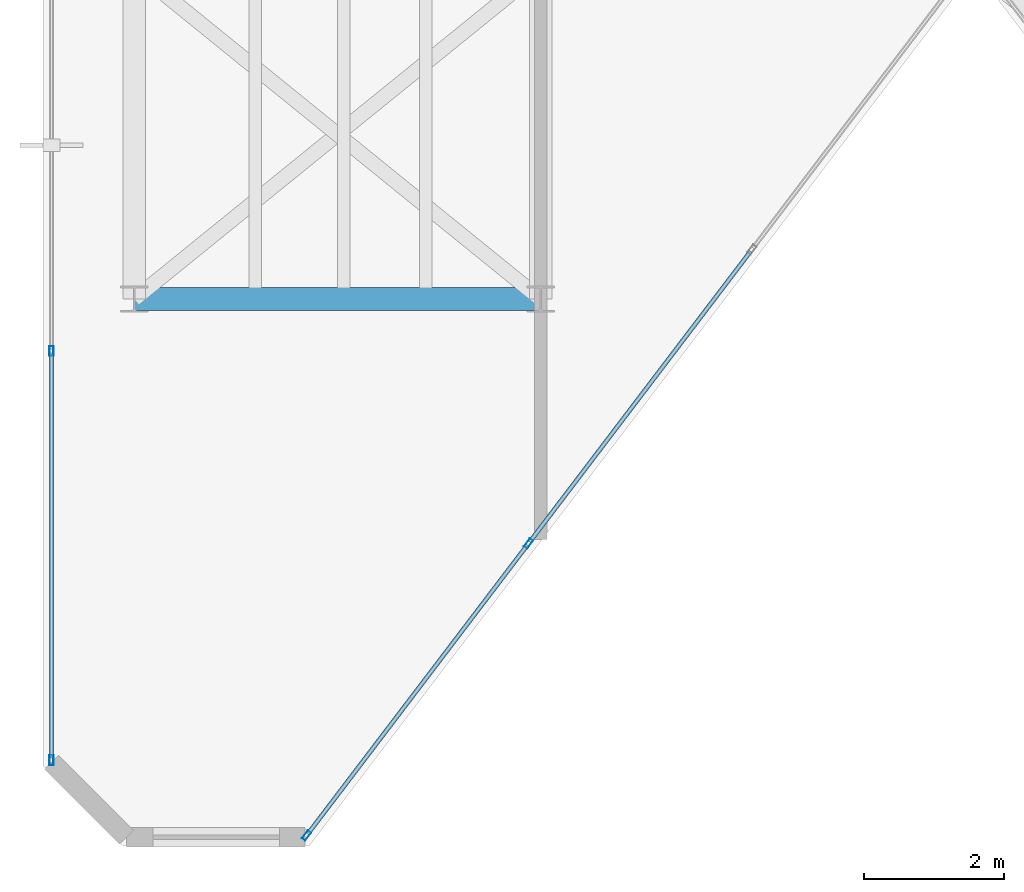
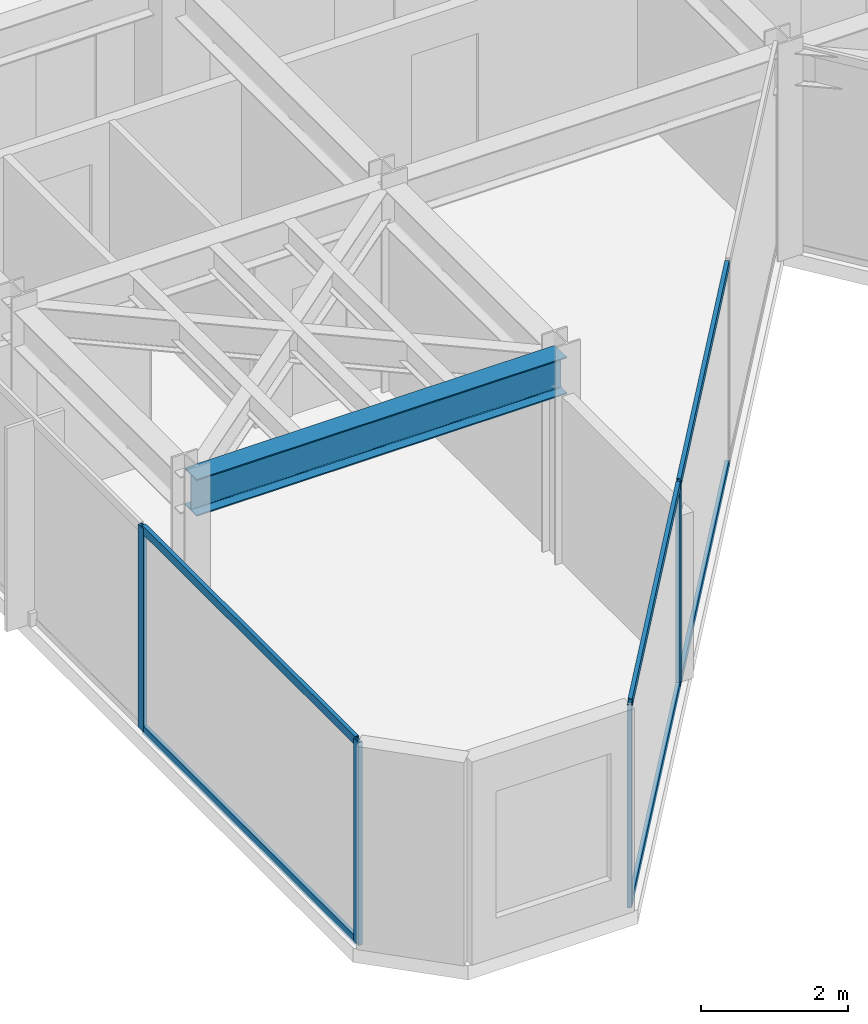
# One storey, part 2 of 17: 10 members, 1 beam, 2 elements without a shape of their own.
"""IFC4 building model written with IfcOpenShell, lengths in metres."""

import ifcopenshell
import ifcopenshell.guid

model = None  # the IFC model being written
_history = None  # IfcOwnerHistory: only IFC2X3 demands one
_inside = {}  # id of a spatial element -> (the spatial element, [elements in it])
_under = {}  # id of a project, library or spatial element -> (it, [spatial elements below it])
_declared = {}  # id of a project -> (the project, [libraries it declares])
_typed = {}  # id of a type object -> (the type object, [elements of that type])
_made_of = {}  # id of a material, layer set ... -> (it, [elements and type objects made of it])


def new_model(schema):
    """Start an empty IFC model of exactly this schema.

    Asked for "IFC4X3", IfcOpenShell would pick the latest addendum, in which some entities
    have other attributes; the version numbers below select the first issue.
    IFC2X3 requires an IfcOwnerHistory on every rooted entity: one is made here for all.
    """
    global model, _history
    if schema == "IFC4X3":
        model = ifcopenshell.file(schema_version=(4, 3, 0, 0))
    else:
        model = ifcopenshell.file(schema=schema)
    _inside.clear()
    _under.clear()
    _declared.clear()
    _typed.clear()
    _made_of.clear()
    _history = None
    if model.schema == "IFC2X3":
        org = make("IfcOrganization", Name="unknown")
        user = make(
            "IfcPersonAndOrganization",
            ThePerson=make("IfcPerson", FamilyName="unknown"),
            TheOrganization=org,
        )
        app = make(
            "IfcApplication",
            ApplicationDeveloper=org,
            Version="unknown",
            ApplicationFullName="unknown",
            ApplicationIdentifier="unknown",
        )
        _history = make(
            "IfcOwnerHistory",
            OwningUser=user,
            OwningApplication=app,
            ChangeAction="ADDED",
            CreationDate=0,
        )
    return model


def make(cls, **values):
    """One entity of the class cls with the attributes given. An attribute that is None is left unset."""
    return model.create_entity(
        cls, **{name: value for name, value in values.items() if value is not None}
    )


def rooted(cls, **values):
    """An entity with a GlobalId (a new one), such as an element, a storey or a relation."""
    return make(cls, GlobalId=ifcopenshell.guid.new(), OwnerHistory=_history, **values)


def si_unit(unit_type, name, prefix=None):
    """IfcSIUnit, for example si_unit("LENGTHUNIT", "METRE", prefix="MILLI")."""
    return make("IfcSIUnit", UnitType=unit_type, Prefix=prefix, Name=name)


def assignment(units):
    """IfcUnitAssignment: the units of a project."""
    return None if units is None else make("IfcUnitAssignment", Units=units)


def point(xyz):
    """IfcCartesianPoint."""
    return None if xyz is None else make("IfcCartesianPoint", Coordinates=xyz)


def direction(xyz):
    """IfcDirection."""
    return None if xyz is None else make("IfcDirection", DirectionRatios=xyz)


def frame(location, z_axis=None, x_axis=None):
    """IfcAxis2Placement3D, a coordinate frame: its origin and axes. An axis left out is left unset."""
    return make(
        "IfcAxis2Placement3D",
        Location=point(location),
        Axis=direction(z_axis),
        RefDirection=direction(x_axis),
    )


def frame_2d(location, x_axis=None):
    """IfcAxis2Placement2D, a coordinate frame in the plane: its origin and x axis."""
    return make(
        "IfcAxis2Placement2D", Location=point(location), RefDirection=direction(x_axis)
    )


def origin():
    """The frame at (0, 0, 0) with its axes left unset."""
    return frame((0.0, 0.0, 0.0))


def origin_2d():
    """The frame at (0, 0) in the plane with its x axis left unset."""
    return frame_2d((0.0, 0.0))


def place(relative_to, where):
    """IfcLocalPlacement: puts the frame where relative to a parent placement (None: the world)."""
    return make(
        "IfcLocalPlacement", PlacementRelTo=relative_to, RelativePlacement=where
    )


def context(
    kind, dimensions, precision=None, world=None, true_north=None, identifier=None
):
    """IfcGeometricRepresentationContext, for example the 3D "Model" context."""
    return make(
        "IfcGeometricRepresentationContext",
        ContextIdentifier=identifier,
        ContextType=kind,
        CoordinateSpaceDimension=dimensions,
        Precision=precision,
        WorldCoordinateSystem=world,
        TrueNorth=true_north,
    )


def subcontext(parent, identifier, kind, view, scale=None):
    """IfcGeometricRepresentationSubContext, for example "Body" below "Model"."""
    return make(
        "IfcGeometricRepresentationSubContext",
        ContextIdentifier=identifier,
        ContextType=kind,
        ParentContext=parent,
        TargetScale=scale,
        TargetView=view,
    )


def project(units=None, contexts=None):
    """IfcProject with its units and contexts."""
    return rooted(
        "IfcProject",
        Name="project",
        RepresentationContexts=contexts,
        UnitsInContext=assignment(units),
    )


def spatial(cls, under=None, at=None, **own):
    """A site, building, storey or space (cls), placed at a placement, below another one or the project."""
    s = rooted(cls, ObjectPlacement=at, **own)
    if under is not None:
        _under.setdefault(under.id(), (under, []))[1].append(s)
    return s


def profile(cls, at=None, kind="AREA", **sizes):
    """A parametric profile (cls). Its sizes go by their IFC names, for example OverallWidth=200.0."""
    return make(cls, ProfileType=kind, Position=at, **sizes)


def hollow_rectangle(**sizes):
    """IfcRectangleHollowProfileDef."""
    return profile("IfcRectangleHollowProfileDef", **sizes)


def i_section(**sizes):
    """IfcIShapeProfileDef."""
    return profile("IfcIShapeProfileDef", **sizes)


def extrude(swept, where, along, depth):
    """IfcExtrudedAreaSolid: the profile swept, set in the frame where, extruded along a direction by depth."""
    return make(
        "IfcExtrudedAreaSolid",
        SweptArea=swept,
        Position=where,
        ExtrudedDirection=direction(along),
        Depth=depth,
    )


def shape(context_of_items, identifier, shape_type, items):
    """IfcShapeRepresentation: the items that make up one representation, for example the "Body"."""
    return make(
        "IfcShapeRepresentation",
        ContextOfItems=context_of_items,
        RepresentationIdentifier=identifier,
        RepresentationType=shape_type,
        Items=items,
    )


def material(Name=None, Category=None):
    """IfcMaterial."""
    return make("IfcMaterial", Name=Name, Category=Category)


def layer(
    of_material, thickness, ventilated=None, Name=None, Category=None, Priority=None
):
    """IfcMaterialLayer: one layer of a wall or slab, of a material (None: an air gap)."""
    return make(
        "IfcMaterialLayer",
        Material=of_material,
        LayerThickness=thickness,
        IsVentilated=ventilated,
        Name=Name,
        Category=Category,
        Priority=Priority,
    )


def layer_set(layers, Name=None):
    """IfcMaterialLayerSet."""
    return make("IfcMaterialLayerSet", MaterialLayers=layers, LayerSetName=Name)


def material_profile(
    of_material, cross_section, Name=None, Category=None, Priority=None
):
    """IfcMaterialProfile: a cross section and its material."""
    return make(
        "IfcMaterialProfile",
        Name=Name,
        Material=of_material,
        Profile=cross_section,
        Priority=Priority,
        Category=Category,
    )


def profile_set(profiles, Name=None, composite=None):
    """IfcMaterialProfileSet."""
    return make(
        "IfcMaterialProfileSet",
        Name=Name,
        MaterialProfiles=profiles,
        CompositeProfile=composite,
    )


def made_of(thing, what):
    """Note that an element or type object is made of a material, layer set ...; save() writes the relation."""
    if what is not None:
        _made_of.setdefault(what.id(), (what, []))[1].append(thing)
    return thing


def type_object(cls, material=None, **own):
    """A type object (cls), such as IfcWallType, which elements share."""
    return made_of(rooted(cls, **own), material)


def element(
    cls,
    number,
    at=None,
    inside=None,
    cuts=None,
    type_object=None,
    material=None,
    context=None,
    identifier="Body",
    shape_type=None,
    held_by="IfcProductDefinitionShape",
    body=None,
    shapes=None,
    **own,
):
    """One element of the class cls, such as IfcWall. Its Tag is "e" and its number.

    at: its placement. inside: the storey or other place that contains it. cuts: it is an
    opening in that element (IfcRelVoidsElement). A single representation is given by context,
    identifier, shape_type and body (its items); several are given by shapes. held_by: the class
    of the entity that holds the representations. save() writes the other relations.
    """
    e = rooted(cls, Tag="e%d" % number, ObjectPlacement=at, **own)
    if body is not None:
        shapes = [shape(context, identifier, shape_type, body)]
    if shapes is not None:
        e.Representation = make(held_by, Representations=shapes)
    if inside is not None:
        _inside.setdefault(inside.id(), (inside, []))[1].append(e)
    if cuts is not None:
        rooted(
            "IfcRelVoidsElement", RelatingBuildingElement=cuts, RelatedOpeningElement=e
        )
    if type_object is not None:
        _typed.setdefault(type_object.id(), (type_object, []))[1].append(e)
    return made_of(e, material)


def aggregate(whole, parts):
    """IfcRelAggregates: a whole, such as a stair, and the parts it consists of."""
    return rooted("IfcRelAggregates", RelatingObject=whole, RelatedObjects=parts)


def save(model, path):
    """Write the relations noted so far, then the file.

    IfcRelAggregates (storeys below a building ...), IfcRelContainedInSpatialStructure (elements
    in a storey), IfcRelDefinesByType, IfcRelAssociatesMaterial and IfcRelDeclares: one each for
    every whole, place, type object, material and project.
    """
    for whole, parts in _under.values():
        aggregate(whole, parts)
    for where, things in _inside.values():
        rooted(
            "IfcRelContainedInSpatialStructure",
            RelatedElements=things,
            RelatingStructure=where,
        )
    for kind, things in _typed.values():
        rooted("IfcRelDefinesByType", RelatedObjects=things, RelatingType=kind)
    for what, things in _made_of.values():
        rooted("IfcRelAssociatesMaterial", RelatedObjects=things, RelatingMaterial=what)
    for by, libraries in _declared.values():
        rooted("IfcRelDeclares", RelatingContext=by, RelatedDefinitions=libraries)
    model.write(path)


model = new_model("IFC4")

# Units and contexts
model_context = context("Model", 3, precision=1e-05, world=origin(), true_north=direction((0.0, 1.0)))
body_context = subcontext(model_context, "Body", "Model", "MODEL_VIEW")
ifc_project = project(units=[si_unit("LENGTHUNIT", "METRE"), si_unit("AREAUNIT", "SQUARE_METRE"), si_unit("VOLUMEUNIT", "CUBIC_METRE"), si_unit("PLANEANGLEUNIT", "RADIAN"), si_unit("MASSUNIT", "GRAM", prefix="KILO")], contexts=[model_context])

# Site, building, storey
site_placement = place(None, origin())
site = spatial("IfcSite", under=ifc_project, at=site_placement, CompositionType="ELEMENT")
building_placement = place(site_placement, origin())
building = spatial("IfcBuilding", under=site, at=building_placement, Name="Kravanh Interchange Tower", CompositionType="ELEMENT")
storey_placement = place(building_placement, frame((0.0, 0.0, 289.5)))
storey = spatial("IfcBuildingStorey", under=building, at=storey_placement, Name="L71", CompositionType="ELEMENT", Elevation=289.5)

# Curtain wall, members
ifc_material_1 = material(Name="Anodised Bronze Aluminium", Category="aluminium")
ifc_layer = layer(ifc_material_1, 0.179931640625)
ifc_layer_set = layer_set([ifc_layer], Name="Unitised Curtain Wall System CW-HTL Luxury Hotel")
curtain_wall_type = type_object("IfcCurtainWallType", Name="Unitised Curtain Wall System CW-HTL Luxury Hotel", PredefinedType="NOTDEFINED", material=ifc_layer_set)
curtain_wall_1_placement = place(storey_placement, origin())
curtain_wall_1 = element("IfcCurtainWall", 1, at=curtain_wall_1_placement, inside=storey, type_object=curtain_wall_type, Name="L71 Unitised Curtain Wall CW-L71-01", PredefinedType="NOTDEFINED")
ifc_material_2 = material(Name="Anodised Bronze Aluminium", Category="aluminium")
ifc_material_profile_1 = material_profile(ifc_material_2, hollow_rectangle(XDim=0.06005859375, YDim=0.139892578125, WallThickness=0.00390625, at=origin_2d()), Name="ALU60X140X4")
ifc_profile_set_1 = profile_set([ifc_material_profile_1], Name="Anodised Bronze Aluminium")
member_type_1 = type_object("IfcMemberType", Name="Curtain Wall Mullion ALU60X140X4 Bronze", PredefinedType="MULLION", material=ifc_profile_set_1)
member_1_placement = place(storey_placement, frame((31.6201171875, 20.2197265625, 0.0), z_axis=(0.0, 0.0, 1.0), x_axis=(-1.0, 0.0, 0.0)))
member_1 = element("IfcMember", 2, at=member_1_placement, type_object=member_type_1, Name="CW-HTL mullion 1", PredefinedType="MULLION", context=body_context, shape_type="SweptSolid", body=[
    extrude(hollow_rectangle(XDim=0.06005859375, YDim=0.139892578125, WallThickness=0.00390625, at=origin_2d()), origin(), (0.0, 0.0, 1.0), 3.364990234375),
])
member_2_placement = place(storey_placement, frame((31.6201171875, 26.059814453125, 0.0), z_axis=(0.0, 0.0, 1.0), x_axis=(-1.0, 0.0, 0.0)))
member_2 = element("IfcMember", 3, at=member_2_placement, type_object=member_type_1, Name="CW-HTL mullion 2", PredefinedType="MULLION", context=body_context, shape_type="SweptSolid", body=[
    extrude(hollow_rectangle(XDim=0.06005859375, YDim=0.139892578125, WallThickness=0.00390625, at=origin_2d()), origin(), (0.0, 0.0, 1.0), 3.364990234375),
])

curtain_wall_2_placement = place(storey_placement, origin())
curtain_wall_2 = element("IfcCurtainWall", 4, at=curtain_wall_2_placement, inside=storey, type_object=curtain_wall_type, Name="L71 Unitised Curtain Wall CW-L71-05", PredefinedType="NOTDEFINED")
member_3_placement = place(storey_placement, frame((38.427001953125, 23.312744140625, 0.0), z_axis=(0.0, 0.0, 1.0), x_axis=(0.79616243806, -0.605082946564, 0.0)))
member_3 = element("IfcMember", 5, at=member_3_placement, type_object=member_type_1, Name="CW-HTL mullion 3", PredefinedType="MULLION", context=body_context, shape_type="SweptSolid", body=[
    extrude(hollow_rectangle(XDim=0.06005859375, YDim=0.139892578125, WallThickness=0.00390625, at=origin_2d()), origin(), (0.0, 0.0, 1.0), 3.364990234375),
])
member_4_placement = place(storey_placement, frame((35.258544921875, 19.143798828125, 0.0), z_axis=(0.0, 0.0, 1.0), x_axis=(0.79616243806, -0.605082946564, 0.0)))
member_4 = element("IfcMember", 6, at=member_4_placement, type_object=member_type_1, Name="CW-HTL mullion 4", PredefinedType="MULLION", context=body_context, shape_type="SweptSolid", body=[
    extrude(hollow_rectangle(XDim=0.06005859375, YDim=0.139892578125, WallThickness=0.00390625, at=origin_2d()), origin(), (0.0, 0.0, 1.0), 3.364990234375),
])

# Member
ifc_material_3 = material(Name="Anodised Bronze Aluminium", Category="aluminium")
ifc_material_profile_2 = material_profile(ifc_material_3, hollow_rectangle(XDim=0.06005859375, YDim=0.139892578125, WallThickness=0.00390625, at=origin_2d()), Name="ALU60X140X4")
ifc_profile_set_2 = profile_set([ifc_material_profile_2], Name="Anodised Bronze Aluminium")
member_type_2 = type_object("IfcMemberType", Name="Curtain Wall Transom ALU60X140X4 Bronze", PredefinedType="USERDEFINED", material=ifc_profile_set_2)
member_5_placement = place(storey_placement, frame((31.6201171875, 20.249755859375, 0.030029296875), z_axis=(0.0, 1.0, 0.0), x_axis=(-1.0, 0.0, 0.0)))
member_5 = element("IfcMember", 7, at=member_5_placement, type_object=member_type_2, Name="CW-HTL transom 1.1", ObjectType="TRANSOM", PredefinedType="USERDEFINED", context=body_context, shape_type="SweptSolid", body=[
    extrude(hollow_rectangle(XDim=0.06005859375, YDim=0.139892578125, WallThickness=0.00390625, at=origin_2d()), origin(), (0.0, 0.0, 1.0), 5.780029296875),
])

member_6_placement = place(storey_placement, frame((31.6201171875, 20.249755859375, 3.3349609375), z_axis=(0.0, 1.0, 0.0), x_axis=(-1.0, 0.0, 0.0)))
member_6 = element("IfcMember", 8, at=member_6_placement, type_object=member_type_2, Name="CW-HTL transom 1.2", ObjectType="TRANSOM", PredefinedType="USERDEFINED", context=body_context, shape_type="SweptSolid", body=[
    extrude(hollow_rectangle(XDim=0.06005859375, YDim=0.139892578125, WallThickness=0.00390625, at=origin_2d()), origin(), (0.0, 0.0, 1.0), 5.780029296875),
])

aggregate(curtain_wall_1, [member_1, member_2, member_5, member_6])

member_7_placement = place(storey_placement, frame((41.595458984375, 27.481689453125, 0.030029296875), z_axis=(-0.605104668693, -0.796145928788, 0.0), x_axis=(0.796145928788, -0.605104668693, 0.0)))
member_7 = element("IfcMember", 9, at=member_7_placement, type_object=member_type_2, Name="CW-HTL transom 2.1", ObjectType="TRANSOM", PredefinedType="USERDEFINED", context=body_context, shape_type="SweptSolid", body=[
    extrude(hollow_rectangle(XDim=0.06005859375, YDim=0.139892578125, WallThickness=0.00390625, at=origin_2d()), origin(), (0.0, 0.0, 1.0), 5.206298828125),
])

member_8_placement = place(storey_placement, frame((41.595458984375, 27.481689453125, 3.3349609375), z_axis=(-0.605104668693, -0.796145928788, 0.0), x_axis=(0.796145928788, -0.605104668693, 0.0)))
member_8 = element("IfcMember", 10, at=member_8_placement, type_object=member_type_2, Name="CW-HTL transom 2.2", ObjectType="TRANSOM", PredefinedType="USERDEFINED", context=body_context, shape_type="SweptSolid", body=[
    extrude(hollow_rectangle(XDim=0.06005859375, YDim=0.139892578125, WallThickness=0.00390625, at=origin_2d()), origin(), (0.0, 0.0, 1.0), 5.206298828125),
])

member_9_placement = place(storey_placement, frame((38.408935546875, 23.288818359375, 0.030029296875), z_axis=(-0.605089246946, -0.796157649734, 0.0), x_axis=(0.796157649734, -0.605089246946, 0.0)))
member_9 = element("IfcMember", 11, at=member_9_placement, type_object=member_type_2, Name="CW-HTL transom 3.1", ObjectType="TRANSOM", PredefinedType="USERDEFINED", context=body_context, shape_type="SweptSolid", body=[
    extrude(hollow_rectangle(XDim=0.06005859375, YDim=0.139892578125, WallThickness=0.00390625, at=origin_2d()), origin(), (0.0, 0.0, 1.0), 5.17626953125),
])

member_10_placement = place(storey_placement, frame((38.408935546875, 23.288818359375, 3.3349609375), z_axis=(-0.605089246946, -0.796157649734, 0.0), x_axis=(0.796157649734, -0.605089246946, 0.0)))
member_10 = element("IfcMember", 12, at=member_10_placement, type_object=member_type_2, Name="CW-HTL transom 3.2", ObjectType="TRANSOM", PredefinedType="USERDEFINED", context=body_context, shape_type="SweptSolid", body=[
    extrude(hollow_rectangle(XDim=0.06005859375, YDim=0.139892578125, WallThickness=0.00390625, at=origin_2d()), origin(), (0.0, 0.0, 1.0), 5.17626953125),
])

aggregate(curtain_wall_2, [member_3, member_4, member_7, member_8, member_9, member_10])

# Beam
ifc_material_4 = material(Name="Structural Steel S355", Category="steel")
ifc_material_profile_3 = material_profile(ifc_material_4, i_section(OverallWidth=0.323974609375, OverallDepth=0.611083984375, WebThickness=0.0126953125, FlangeThickness=0.01904296875, FilletRadius=0.02197265625, at=origin_2d()), Name="W24X104")
ifc_profile_set_3 = profile_set([ifc_material_profile_3], Name="Structural Steel S355")
beam_type = type_object("IfcBeamType", Name="Floor Beam W24X104 Structural Steel S355", PredefinedType="BEAM", material=ifc_profile_set_3)
beam_placement = place(storey_placement, frame((38.60009765625, 26.800048828125, 3.0595703125), z_axis=(-1.0, 0.0, 0.0), x_axis=(0.0, -1.0, 0.0)))
element("IfcBeam", 13, at=beam_placement, inside=storey, type_object=beam_type, Name="L71 Primary Floor Girder 24", PredefinedType="BEAM", context=body_context, shape_type="SweptSolid", body=[
    extrude(i_section(OverallWidth=0.323974609375, OverallDepth=0.611083984375, WebThickness=0.0126953125, FlangeThickness=0.01904296875, FilletRadius=0.02197265625, at=origin_2d()), origin(), (0.0, 0.0, 1.0), 5.800048828125),
])

save(model, "model.ifc")
